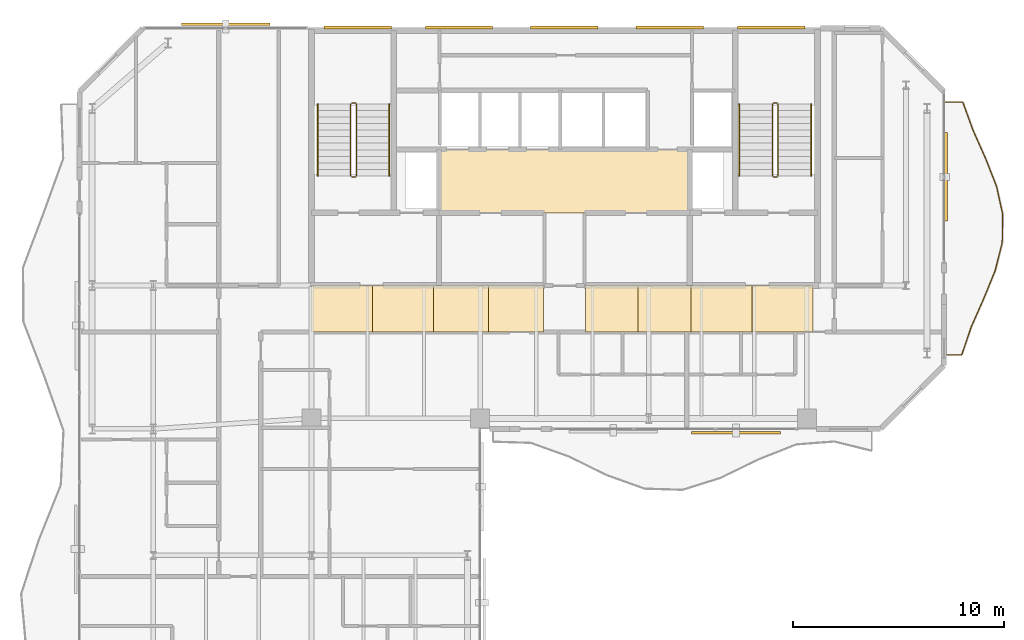
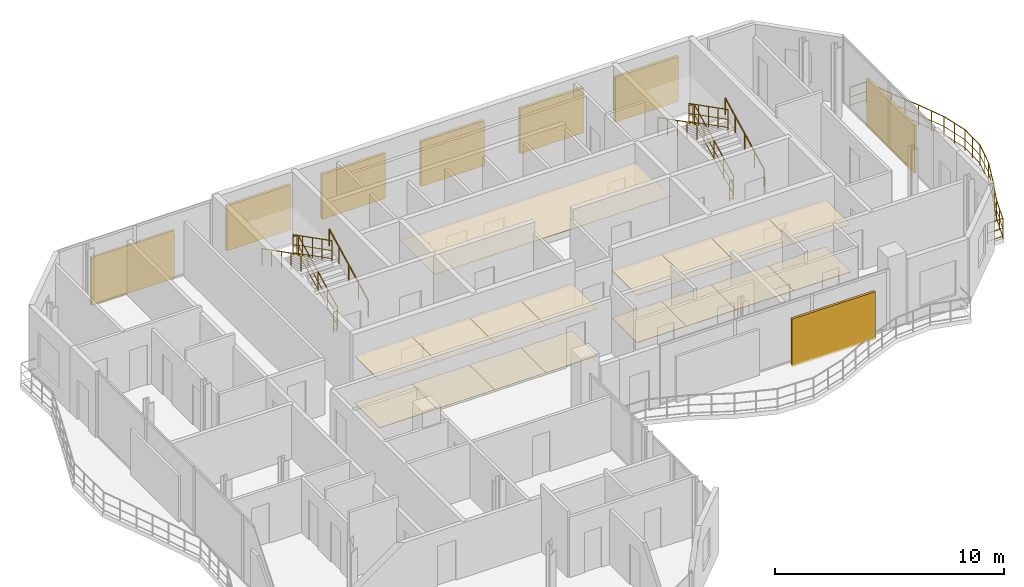
# One storey, part 22 of 22: 17 coverings, 13 railings, 8 shading devices.
"""IFC4 building model written with IfcOpenShell, lengths in metres."""

from ifc_helpers import new_model, si_unit, direction, frame, origin, origin_2d, place, context, subcontext, project, spatial, polyline, rectangle, circle, outline, extrude, material, layer, layer_set, type_object, element, save


model = new_model("IFC4")

# Units and contexts
model_context = context("Model", 3, precision=1e-05, world=origin(), true_north=direction((0.0, 1.0)))
body_context = subcontext(model_context, "Body", "Model", "MODEL_VIEW")
ifc_project = project(units=[si_unit("LENGTHUNIT", "METRE"), si_unit("AREAUNIT", "SQUARE_METRE"), si_unit("VOLUMEUNIT", "CUBIC_METRE"), si_unit("PLANEANGLEUNIT", "RADIAN"), si_unit("MASSUNIT", "GRAM", prefix="KILO")], contexts=[model_context])

# Site, building, storey
site_placement = place(None, origin())
site = spatial("IfcSite", under=ifc_project, at=site_placement, CompositionType="ELEMENT")
building_placement = place(site_placement, origin())
building = spatial("IfcBuilding", under=site, at=building_placement, Name="Catumbela Crestline Tower", CompositionType="ELEMENT")
storey_placement = place(building_placement, frame((0.0, 0.0, 226.0)))
storey = spatial("IfcBuildingStorey", under=building, at=storey_placement, Name="L58", CompositionType="ELEMENT", Elevation=226.0)

# Coverings
ifc_material_1 = material(Name="Mineral-fibre acoustic ceiling")
ifc_layer_1 = layer(ifc_material_1, 0.03, Name="Mineral-fibre acoustic ceiling")
ifc_layer_set_1 = layer_set([ifc_layer_1], Name="Mineral-fibre acoustic ceiling")
covering_type_1 = type_object("IfcCoveringType", Name="CC-AC", PredefinedType="CEILING", material=ifc_layer_set_1)
covering_1_placement = place(storey_placement, frame((0.0, 0.0, 2.65)))
element("IfcCovering", 1, at=covering_1_placement, inside=storey, type_object=covering_type_1, Name="L58 Lift Lobby Acoustic Ceiling", PredefinedType="CEILING", context=body_context, shape_type="SweptSolid", body=[
    extrude(outline(polyline([(22.05, 34.25), (33.95, 34.25), (33.95, 37.25), (22.05, 37.25), (22.05, 34.25)])), origin(), (0.0, 0.0, 1.0), 0.03),
])
covering_2_placement = place(storey_placement, frame((0.0, 0.0, 2.52)))
element("IfcCovering", 2, at=covering_2_placement, inside=storey, type_object=covering_type_1, Name="L58 Corridor Acoustic Ceiling Bay 1", PredefinedType="CEILING", context=body_context, shape_type="SweptSolid", body=[
    extrude(outline(polyline([(16.0, 28.6), (18.9, 28.6), (18.9, 30.8), (16.0, 30.8), (16.0, 28.6)])), origin(), (0.0, 0.0, 1.0), 0.03),
])
covering_3_placement = place(storey_placement, frame((0.0, 0.0, 2.52)))
element("IfcCovering", 3, at=covering_3_placement, inside=storey, type_object=covering_type_1, Name="L58 Corridor Acoustic Ceiling Bay 2", PredefinedType="CEILING", context=body_context, shape_type="SweptSolid", body=[
    extrude(outline(polyline([(18.9, 28.6), (21.8, 28.6), (21.8, 30.8), (18.9, 30.8), (18.9, 28.6)])), origin(), (0.0, 0.0, 1.0), 0.03),
])
covering_4_placement = place(storey_placement, frame((0.0, 0.0, 2.52)))
element("IfcCovering", 4, at=covering_4_placement, inside=storey, type_object=covering_type_1, Name="L58 Corridor Acoustic Ceiling Bay 3", PredefinedType="CEILING", context=body_context, shape_type="SweptSolid", body=[
    extrude(outline(polyline([(21.8, 28.6), (24.4, 28.6), (24.4, 30.8), (21.8, 30.8), (21.8, 28.6)])), origin(), (0.0, 0.0, 1.0), 0.03),
])
covering_5_placement = place(storey_placement, frame((0.0, 0.0, 2.52)))
element("IfcCovering", 5, at=covering_5_placement, inside=storey, type_object=covering_type_1, Name="L58 Corridor Acoustic Ceiling Bay 4", PredefinedType="CEILING", context=body_context, shape_type="SweptSolid", body=[
    extrude(outline(polyline([(24.4, 28.6), (27.0, 28.6), (27.0, 30.8), (24.4, 30.8), (24.4, 28.6)])), origin(), (0.0, 0.0, 1.0), 0.03),
])
covering_6_placement = place(storey_placement, frame((0.0, 0.0, 2.52)))
element("IfcCovering", 6, at=covering_6_placement, inside=storey, type_object=covering_type_1, Name="L58 Corridor Acoustic Ceiling Bay 5", PredefinedType="CEILING", context=body_context, shape_type="SweptSolid", body=[
    extrude(outline(polyline([(29.0, 28.6), (31.5, 28.6), (31.5, 30.8), (29.0, 30.8), (29.0, 28.6)])), origin(), (0.0, 0.0, 1.0), 0.03),
])
covering_7_placement = place(storey_placement, frame((0.0, 0.0, 2.52)))
element("IfcCovering", 7, at=covering_7_placement, inside=storey, type_object=covering_type_1, Name="L58 Corridor Acoustic Ceiling Bay 6", PredefinedType="CEILING", context=body_context, shape_type="SweptSolid", body=[
    extrude(outline(polyline([(31.5, 28.6), (34.0, 28.6), (34.0, 30.8), (31.5, 30.8), (31.5, 28.6)])), origin(), (0.0, 0.0, 1.0), 0.03),
])
covering_8_placement = place(storey_placement, frame((0.0, 0.0, 2.52)))
element("IfcCovering", 8, at=covering_8_placement, inside=storey, type_object=covering_type_1, Name="L58 Corridor Acoustic Ceiling Bay 7", PredefinedType="CEILING", context=body_context, shape_type="SweptSolid", body=[
    extrude(outline(polyline([(34.0, 28.6), (36.9, 28.6), (36.9, 30.8), (34.0, 30.8), (34.0, 28.6)])), origin(), (0.0, 0.0, 1.0), 0.03),
])
covering_9_placement = place(storey_placement, frame((0.0, 0.0, 2.52)))
element("IfcCovering", 9, at=covering_9_placement, inside=storey, type_object=covering_type_1, Name="L58 Corridor Acoustic Ceiling Bay 8", PredefinedType="CEILING", context=body_context, shape_type="SweptSolid", body=[
    extrude(outline(polyline([(36.9, 28.6), (39.8, 28.6), (39.8, 30.8), (36.9, 30.8), (36.9, 28.6)])), origin(), (0.0, 0.0, 1.0), 0.03),
])
ifc_material_2 = material(Name="Angolan grey-ochre granite", Category="masonry")
ifc_layer_2 = layer(ifc_material_2, 0.025, Name="Angolan grey-ochre granite")
ifc_layer_set_2 = layer_set([ifc_layer_2], Name="Angolan grey-ochre granite")
covering_type_2 = type_object("IfcCoveringType", Name="CF-GR", PredefinedType="FLOORING", material=ifc_layer_set_2)
covering_10_placement = place(storey_placement, origin())
element("IfcCovering", 10, at=covering_10_placement, inside=storey, type_object=covering_type_2, Name="L58 Corridor Granite Flooring Bay 1", PredefinedType="FLOORING", context=body_context, shape_type="SweptSolid", body=[
    extrude(outline(polyline([(16.0, 28.6), (18.9, 28.6), (18.9, 30.8), (16.0, 30.8), (16.0, 28.6)])), origin(), (0.0, 0.0, 1.0), 0.025),
])
covering_11_placement = place(storey_placement, origin())
element("IfcCovering", 11, at=covering_11_placement, inside=storey, type_object=covering_type_2, Name="L58 Corridor Granite Flooring Bay 2", PredefinedType="FLOORING", context=body_context, shape_type="SweptSolid", body=[
    extrude(outline(polyline([(18.9, 28.6), (21.8, 28.6), (21.8, 30.8), (18.9, 30.8), (18.9, 28.6)])), origin(), (0.0, 0.0, 1.0), 0.025),
])
covering_12_placement = place(storey_placement, origin())
element("IfcCovering", 12, at=covering_12_placement, inside=storey, type_object=covering_type_2, Name="L58 Corridor Granite Flooring Bay 3", PredefinedType="FLOORING", context=body_context, shape_type="SweptSolid", body=[
    extrude(outline(polyline([(21.8, 28.6), (24.4, 28.6), (24.4, 30.8), (21.8, 30.8), (21.8, 28.6)])), origin(), (0.0, 0.0, 1.0), 0.025),
])
covering_13_placement = place(storey_placement, origin())
element("IfcCovering", 13, at=covering_13_placement, inside=storey, type_object=covering_type_2, Name="L58 Corridor Granite Flooring Bay 4", PredefinedType="FLOORING", context=body_context, shape_type="SweptSolid", body=[
    extrude(outline(polyline([(24.4, 28.6), (27.0, 28.6), (27.0, 30.8), (24.4, 30.8), (24.4, 28.6)])), origin(), (0.0, 0.0, 1.0), 0.025),
])
covering_14_placement = place(storey_placement, origin())
element("IfcCovering", 14, at=covering_14_placement, inside=storey, type_object=covering_type_2, Name="L58 Corridor Granite Flooring Bay 5", PredefinedType="FLOORING", context=body_context, shape_type="SweptSolid", body=[
    extrude(outline(polyline([(29.0, 28.6), (31.5, 28.6), (31.5, 30.8), (29.0, 30.8), (29.0, 28.6)])), origin(), (0.0, 0.0, 1.0), 0.025),
])
covering_15_placement = place(storey_placement, origin())
element("IfcCovering", 15, at=covering_15_placement, inside=storey, type_object=covering_type_2, Name="L58 Corridor Granite Flooring Bay 6", PredefinedType="FLOORING", context=body_context, shape_type="SweptSolid", body=[
    extrude(outline(polyline([(31.5, 28.6), (34.0, 28.6), (34.0, 30.8), (31.5, 30.8), (31.5, 28.6)])), origin(), (0.0, 0.0, 1.0), 0.025),
])
covering_16_placement = place(storey_placement, origin())
element("IfcCovering", 16, at=covering_16_placement, inside=storey, type_object=covering_type_2, Name="L58 Corridor Granite Flooring Bay 7", PredefinedType="FLOORING", context=body_context, shape_type="SweptSolid", body=[
    extrude(outline(polyline([(34.0, 28.6), (36.9, 28.6), (36.9, 30.8), (34.0, 30.8), (34.0, 28.6)])), origin(), (0.0, 0.0, 1.0), 0.025),
])
covering_17_placement = place(storey_placement, origin())
element("IfcCovering", 17, at=covering_17_placement, inside=storey, type_object=covering_type_2, Name="L58 Corridor Granite Flooring Bay 8", PredefinedType="FLOORING", context=body_context, shape_type="SweptSolid", body=[
    extrude(outline(polyline([(36.9, 28.6), (39.8, 28.6), (39.8, 30.8), (36.9, 30.8), (36.9, 28.6)])), origin(), (0.0, 0.0, 1.0), 0.025),
])

# Railings
ifc_material_3 = material(Name="Stainless steel EN 1.4401", Category="steel")
railing_type_1 = type_object("IfcRailingType", Name="RB-1100", PredefinedType="BALUSTRADE", material=ifc_material_3)
railing_1_placement = place(storey_placement, frame((46.06, 27.5, 0.0)))
element("IfcRailing", 18, at=railing_1_placement, inside=storey, type_object=railing_type_1, Name="L58 Private Wave Balcony Balustrade 2", PredefinedType="BALUSTRADE", context=body_context, shape_type="SweptSolid", body=[
    extrude(circle(Radius=0.024, at=origin_2d()), frame((0.0, 0.0, 1.076), z_axis=(1.0, 0.0, 0.0), x_axis=(0.0, 1.0, 0.0)), (0.0, 0.0, 1.0), 0.7801),
    extrude(circle(Radius=0.0156, at=origin_2d()), frame((0.0, 0.0, 0.55), z_axis=(1.0, 0.0, 0.0), x_axis=(0.0, 1.0, 0.0)), (0.0, 0.0, 1.0), 0.7801),
    extrude(circle(Radius=0.0156, at=origin_2d()), frame((0.0, 0.0, 0.12), z_axis=(1.0, 0.0, 0.0), x_axis=(0.0, 1.0, 0.0)), (0.0, 0.0, 1.0), 0.7801),
    extrude(circle(Radius=0.024, at=origin_2d()), frame((0.7801, 0.0, 1.076), z_axis=(0.321825075032, 0.946799145057, 0.0), x_axis=(-0.946799145057, 0.321825075032, 0.0)), (0.0, 0.0, 1.0), 1.4082),
    extrude(circle(Radius=0.0156, at=origin_2d()), frame((0.7801, 0.0, 0.55), z_axis=(0.321825075032, 0.946799145057, 0.0), x_axis=(-0.946799145057, 0.321825075032, 0.0)), (0.0, 0.0, 1.0), 1.4082),
    extrude(circle(Radius=0.0156, at=origin_2d()), frame((0.7801, 0.0, 0.12), z_axis=(0.321825075032, 0.946799145057, 0.0), x_axis=(-0.946799145057, 0.321825075032, 0.0)), (0.0, 0.0, 1.0), 1.4082),
    extrude(circle(Radius=0.024, at=origin_2d()), frame((1.2333, 1.3333, 1.076), z_axis=(0.404004999136, 0.914756776784, 0.0), x_axis=(-0.914756776784, 0.404004999136, 0.0)), (0.0, 0.0, 1.0), 1.4577),
    extrude(circle(Radius=0.0156, at=origin_2d()), frame((1.2333, 1.3333, 0.55), z_axis=(0.404004999136, 0.914756776784, 0.0), x_axis=(-0.914756776784, 0.404004999136, 0.0)), (0.0, 0.0, 1.0), 1.4577),
    extrude(circle(Radius=0.0156, at=origin_2d()), frame((1.2333, 1.3333, 0.12), z_axis=(0.404004999136, 0.914756776784, 0.0), x_axis=(-0.914756776784, 0.404004999136, 0.0)), (0.0, 0.0, 1.0), 1.4577),
    extrude(circle(Radius=0.024, at=origin_2d()), frame((1.8222, 2.6667, 1.076), z_axis=(0.378786900544, 0.92548391881, 0.0), x_axis=(-0.92548391881, 0.378786900544, 0.0)), (0.0, 0.0, 1.0), 1.4407),
    extrude(circle(Radius=0.0156, at=origin_2d()), frame((1.8222, 2.6667, 0.55), z_axis=(0.378786900544, 0.92548391881, 0.0), x_axis=(-0.92548391881, 0.378786900544, 0.0)), (0.0, 0.0, 1.0), 1.4407),
    extrude(circle(Radius=0.0156, at=origin_2d()), frame((1.8222, 2.6667, 0.12), z_axis=(0.378786900544, 0.92548391881, 0.0), x_axis=(-0.92548391881, 0.378786900544, 0.0)), (0.0, 0.0, 1.0), 1.4407),
    extrude(circle(Radius=0.024, at=origin_2d()), frame((2.3679, 4.0, 1.076), z_axis=(0.244844834843, 0.969562275901, 0.0), x_axis=(-0.969562275901, 0.244844834843, 0.0)), (0.0, 0.0, 1.0), 1.3752),
    extrude(circle(Radius=0.0156, at=origin_2d()), frame((2.3679, 4.0, 0.55), z_axis=(0.244844834843, 0.969562275901, 0.0), x_axis=(-0.969562275901, 0.244844834843, 0.0)), (0.0, 0.0, 1.0), 1.3752),
    extrude(circle(Radius=0.0156, at=origin_2d()), frame((2.3679, 4.0, 0.12), z_axis=(0.244844834843, 0.969562275901, 0.0), x_axis=(-0.969562275901, 0.244844834843, 0.0)), (0.0, 0.0, 1.0), 1.3752),
    extrude(circle(Radius=0.024, at=origin_2d()), frame((2.7046, 5.3333, 1.076), z_axis=(0.018970636751, 0.999820041278, 0.0), x_axis=(-0.999820041278, 0.018970636751, 0.0)), (0.0, 0.0, 1.0), 1.3336),
    extrude(circle(Radius=0.0156, at=origin_2d()), frame((2.7046, 5.3333, 0.55), z_axis=(0.018970636751, 0.999820041278, 0.0), x_axis=(-0.999820041278, 0.018970636751, 0.0)), (0.0, 0.0, 1.0), 1.3336),
    extrude(circle(Radius=0.0156, at=origin_2d()), frame((2.7046, 5.3333, 0.12), z_axis=(0.018970636751, 0.999820041278, 0.0), x_axis=(-0.999820041278, 0.018970636751, 0.0)), (0.0, 0.0, 1.0), 1.3336),
    extrude(circle(Radius=0.024, at=origin_2d()), frame((2.7299, 6.6667, 1.076), z_axis=(-0.21519292243, 0.9765715571, 0.0), x_axis=(-0.9765715571, -0.21519292243, 0.0)), (0.0, 0.0, 1.0), 1.3653),
    extrude(circle(Radius=0.0156, at=origin_2d()), frame((2.7299, 6.6667, 0.55), z_axis=(-0.21519292243, 0.9765715571, 0.0), x_axis=(-0.9765715571, -0.21519292243, 0.0)), (0.0, 0.0, 1.0), 1.3653),
    extrude(circle(Radius=0.0156, at=origin_2d()), frame((2.7299, 6.6667, 0.12), z_axis=(-0.21519292243, 0.9765715571, 0.0), x_axis=(-0.9765715571, -0.21519292243, 0.0)), (0.0, 0.0, 1.0), 1.3653),
    extrude(circle(Radius=0.024, at=origin_2d()), frame((2.4361, 8.0, 1.076), z_axis=(-0.365533574003, 0.930798155497, 0.0), x_axis=(-0.930798155497, -0.365533574003, 0.0)), (0.0, 0.0, 1.0), 1.4324),
    extrude(circle(Radius=0.0156, at=origin_2d()), frame((2.4361, 8.0, 0.55), z_axis=(-0.365533574003, 0.930798155497, 0.0), x_axis=(-0.930798155497, -0.365533574003, 0.0)), (0.0, 0.0, 1.0), 1.4324),
    extrude(circle(Radius=0.0156, at=origin_2d()), frame((2.4361, 8.0, 0.12), z_axis=(-0.365533574003, 0.930798155497, 0.0), x_axis=(-0.930798155497, -0.365533574003, 0.0)), (0.0, 0.0, 1.0), 1.4324),
    extrude(circle(Radius=0.024, at=origin_2d()), frame((1.9125, 9.3333, 1.076), z_axis=(-0.407040803726, 0.913409975915, 0.0), x_axis=(-0.913409975915, -0.407040803726, 0.0)), (0.0, 0.0, 1.0), 1.4598),
    extrude(circle(Radius=0.0156, at=origin_2d()), frame((1.9125, 9.3333, 0.55), z_axis=(-0.407040803726, 0.913409975915, 0.0), x_axis=(-0.913409975915, -0.407040803726, 0.0)), (0.0, 0.0, 1.0), 1.4598),
    extrude(circle(Radius=0.0156, at=origin_2d()), frame((1.9125, 9.3333, 0.12), z_axis=(-0.407040803726, 0.913409975915, 0.0), x_axis=(-0.913409975915, -0.407040803726, 0.0)), (0.0, 0.0, 1.0), 1.4598),
    extrude(circle(Radius=0.024, at=origin_2d()), frame((1.3183, 10.6667, 1.076), z_axis=(-0.34140908898, 0.939914801438, 0.0), x_axis=(-0.939914801438, -0.34140908898, 0.0)), (0.0, 0.0, 1.0), 1.4185),
    extrude(circle(Radius=0.0156, at=origin_2d()), frame((1.3183, 10.6667, 0.55), z_axis=(-0.34140908898, 0.939914801438, 0.0), x_axis=(-0.939914801438, -0.34140908898, 0.0)), (0.0, 0.0, 1.0), 1.4185),
    extrude(circle(Radius=0.0156, at=origin_2d()), frame((1.3183, 10.6667, 0.12), z_axis=(-0.34140908898, 0.939914801438, 0.0), x_axis=(-0.939914801438, -0.34140908898, 0.0)), (0.0, 0.0, 1.0), 1.4185),
    extrude(circle(Radius=0.024, at=origin_2d()), frame((0.834, 12.0, 1.076), z_axis=(-1.0, 0.0, 0.0), x_axis=(0.0, -1.0, 0.0)), (0.0, 0.0, 1.0), 0.834),
    extrude(circle(Radius=0.0156, at=origin_2d()), frame((0.834, 12.0, 0.55), z_axis=(-1.0, 0.0, 0.0), x_axis=(0.0, -1.0, 0.0)), (0.0, 0.0, 1.0), 0.834),
    extrude(circle(Radius=0.0156, at=origin_2d()), frame((0.834, 12.0, 0.12), z_axis=(-1.0, 0.0, 0.0), x_axis=(0.0, -1.0, 0.0)), (0.0, 0.0, 1.0), 0.834),
    extrude(circle(Radius=0.021, at=origin_2d()), origin(), (0.0, 0.0, 1.0), 1.052),
    extrude(circle(Radius=0.021, at=origin_2d()), frame((0.7801, 0.0, 0.0)), (0.0, 0.0, 1.0), 1.052),
    extrude(circle(Radius=0.021, at=origin_2d()), frame((1.0067, 0.6667, 0.0)), (0.0, 0.0, 1.0), 1.052),
    extrude(circle(Radius=0.021, at=origin_2d()), frame((1.2333, 1.3333, 0.0)), (0.0, 0.0, 1.0), 1.052),
    extrude(circle(Radius=0.021, at=origin_2d()), frame((1.5277, 2.0, 0.0)), (0.0, 0.0, 1.0), 1.052),
    extrude(circle(Radius=0.021, at=origin_2d()), frame((1.8222, 2.6667, 0.0)), (0.0, 0.0, 1.0), 1.052),
    extrude(circle(Radius=0.021, at=origin_2d()), frame((2.095, 3.3333, 0.0)), (0.0, 0.0, 1.0), 1.052),
    extrude(circle(Radius=0.021, at=origin_2d()), frame((2.3679, 4.0, 0.0)), (0.0, 0.0, 1.0), 1.052),
    extrude(circle(Radius=0.021, at=origin_2d()), frame((2.5362, 4.6667, 0.0)), (0.0, 0.0, 1.0), 1.052),
    extrude(circle(Radius=0.021, at=origin_2d()), frame((2.7046, 5.3333, 0.0)), (0.0, 0.0, 1.0), 1.052),
    extrude(circle(Radius=0.021, at=origin_2d()), frame((2.7172, 6.0, 0.0)), (0.0, 0.0, 1.0), 1.052),
    extrude(circle(Radius=0.021, at=origin_2d()), frame((2.7299, 6.6667, 0.0)), (0.0, 0.0, 1.0), 1.052),
    extrude(circle(Radius=0.021, at=origin_2d()), frame((2.583, 7.3334, 0.0)), (0.0, 0.0, 1.0), 1.052),
    extrude(circle(Radius=0.021, at=origin_2d()), frame((2.4361, 8.0, 0.0)), (0.0, 0.0, 1.0), 1.052),
    extrude(circle(Radius=0.021, at=origin_2d()), frame((2.1743, 8.6666, 0.0)), (0.0, 0.0, 1.0), 1.052),
    extrude(circle(Radius=0.021, at=origin_2d()), frame((1.9125, 9.3333, 0.0)), (0.0, 0.0, 1.0), 1.052),
    extrude(circle(Radius=0.021, at=origin_2d()), frame((1.6154, 10.0, 0.0)), (0.0, 0.0, 1.0), 1.052),
    extrude(circle(Radius=0.021, at=origin_2d()), frame((1.3183, 10.6667, 0.0)), (0.0, 0.0, 1.0), 1.052),
    extrude(circle(Radius=0.021, at=origin_2d()), frame((1.0761, 11.3334, 0.0)), (0.0, 0.0, 1.0), 1.052),
    extrude(circle(Radius=0.021, at=origin_2d()), frame((0.834, 12.0, 0.0)), (0.0, 0.0, 1.0), 1.052),
    extrude(circle(Radius=0.021, at=origin_2d()), frame((0.0, 12.0, 0.0)), (0.0, 0.0, 1.0), 1.052),
])
railing_type_2 = type_object("IfcRailingType", Name="RG-1100", PredefinedType="GUARDRAIL", material=ifc_material_3)
railing_2_placement = place(storey_placement, frame((18.14, 36.0, 0.1583)))
element("IfcRailing", 19, at=railing_2_placement, inside=storey, type_object=railing_type_2, Name="L58 ST-01 stair guard 1", PredefinedType="GUARDRAIL", context=body_context, shape_type="SweptSolid", body=[
    extrude(circle(Radius=0.024, at=origin_2d()), frame((0.0, 0.0, 1.076), z_axis=(0.0, 0.890560473983, 0.454864861447), x_axis=(-1.0, 0.0, 0.0)), (0.0, 0.0, 1.0), 3.829),
    extrude(circle(Radius=0.0156, at=origin_2d()), frame((0.0, 0.0, 0.55), z_axis=(0.0, 0.890560473983, 0.454864861447), x_axis=(-1.0, 0.0, 0.0)), (0.0, 0.0, 1.0), 3.829),
    extrude(circle(Radius=0.0156, at=origin_2d()), frame((0.0, 0.0, 0.12), z_axis=(0.0, 0.890560473983, 0.454864861447), x_axis=(-1.0, 0.0, 0.0)), (0.0, 0.0, 1.0), 3.829),
    extrude(circle(Radius=0.021, at=origin_2d()), origin(), (0.0, 0.0, 1.0), 1.052),
    extrude(circle(Radius=0.021, at=origin_2d()), frame((0.0, 0.8525, 0.4354)), (0.0, 0.0, 1.0), 1.052),
    extrude(circle(Radius=0.021, at=origin_2d()), frame((0.0, 1.705, 0.8709)), (0.0, 0.0, 1.0), 1.052),
    extrude(circle(Radius=0.021, at=origin_2d()), frame((0.0, 2.5575, 1.3063)), (0.0, 0.0, 1.0), 1.052),
    extrude(circle(Radius=0.021, at=origin_2d()), frame((0.0, 3.41, 1.7417)), (0.0, 0.0, 1.0), 1.052),
])
railing_3_placement = place(storey_placement, frame((18.09, 39.46, 1.9)))
element("IfcRailing", 20, at=railing_3_placement, inside=storey, type_object=railing_type_2, Name="L58 ST-01 stair guard 2", PredefinedType="GUARDRAIL", context=body_context, shape_type="SweptSolid", body=[
    extrude(circle(Radius=0.024, at=origin_2d()), frame((0.0, 0.0, 1.076), z_axis=(-1.0, 0.0, 0.0), x_axis=(0.0, -1.0, 0.0)), (0.0, 0.0, 1.0), 0.18),
    extrude(circle(Radius=0.0156, at=origin_2d()), frame((0.0, 0.0, 0.55), z_axis=(-1.0, 0.0, 0.0), x_axis=(0.0, -1.0, 0.0)), (0.0, 0.0, 1.0), 0.18),
    extrude(circle(Radius=0.0156, at=origin_2d()), frame((0.0, 0.0, 0.12), z_axis=(-1.0, 0.0, 0.0), x_axis=(0.0, -1.0, 0.0)), (0.0, 0.0, 1.0), 0.18),
    extrude(circle(Radius=0.021, at=origin_2d()), origin(), (0.0, 0.0, 1.0), 1.052),
    extrude(circle(Radius=0.021, at=origin_2d()), frame((-0.18, 0.0, 0.0)), (0.0, 0.0, 1.0), 1.052),
])
railing_4_placement = place(storey_placement, frame((17.86, 39.41, 2.0583)))
element("IfcRailing", 21, at=railing_4_placement, inside=storey, type_object=railing_type_2, Name="L58 ST-01 stair guard 3", PredefinedType="GUARDRAIL", context=body_context, shape_type="SweptSolid", body=[
    extrude(circle(Radius=0.024, at=origin_2d()), frame((0.0, 0.0, 1.076), z_axis=(0.0, -0.890560473983, 0.454864861447), x_axis=(1.0, 0.0, 0.0)), (0.0, 0.0, 1.0), 3.829),
    extrude(circle(Radius=0.0156, at=origin_2d()), frame((0.0, 0.0, 0.55), z_axis=(0.0, -0.890560473983, 0.454864861447), x_axis=(1.0, 0.0, 0.0)), (0.0, 0.0, 1.0), 3.829),
    extrude(circle(Radius=0.0156, at=origin_2d()), frame((0.0, 0.0, 0.12), z_axis=(0.0, -0.890560473983, 0.454864861447), x_axis=(1.0, 0.0, 0.0)), (0.0, 0.0, 1.0), 3.829),
    extrude(circle(Radius=0.021, at=origin_2d()), origin(), (0.0, 0.0, 1.0), 1.052),
    extrude(circle(Radius=0.021, at=origin_2d()), frame((0.0, -0.8525, 0.4354)), (0.0, 0.0, 1.0), 1.052),
    extrude(circle(Radius=0.021, at=origin_2d()), frame((0.0, -1.705, 0.8709)), (0.0, 0.0, 1.0), 1.052),
    extrude(circle(Radius=0.021, at=origin_2d()), frame((0.0, -2.5575, 1.3063)), (0.0, 0.0, 1.0), 1.052),
    extrude(circle(Radius=0.021, at=origin_2d()), frame((0.0, -3.41, 1.7417)), (0.0, 0.0, 1.0), 1.052),
])
railing_5_placement = place(storey_placement, frame((18.09, 35.95, 0.0)))
element("IfcRailing", 22, at=railing_5_placement, inside=storey, type_object=railing_type_2, Name="L58 ST-01 stair guard 4", PredefinedType="GUARDRAIL", context=body_context, shape_type="SweptSolid", body=[
    extrude(circle(Radius=0.024, at=origin_2d()), frame((0.0, 0.0, 1.076), z_axis=(-1.0, 0.0, 0.0), x_axis=(0.0, -1.0, 0.0)), (0.0, 0.0, 1.0), 0.18),
    extrude(circle(Radius=0.0156, at=origin_2d()), frame((0.0, 0.0, 0.55), z_axis=(-1.0, 0.0, 0.0), x_axis=(0.0, -1.0, 0.0)), (0.0, 0.0, 1.0), 0.18),
    extrude(circle(Radius=0.0156, at=origin_2d()), frame((0.0, 0.0, 0.12), z_axis=(-1.0, 0.0, 0.0), x_axis=(0.0, -1.0, 0.0)), (0.0, 0.0, 1.0), 0.18),
    extrude(circle(Radius=0.021, at=origin_2d()), origin(), (0.0, 0.0, 1.0), 1.052),
    extrude(circle(Radius=0.021, at=origin_2d()), frame((-0.18, 0.0, 0.0)), (0.0, 0.0, 1.0), 1.052),
])
railing_6_placement = place(storey_placement, frame((38.14, 36.0, 0.1583)))
element("IfcRailing", 23, at=railing_6_placement, inside=storey, type_object=railing_type_2, Name="L58 ST-02 stair guard 1", PredefinedType="GUARDRAIL", context=body_context, shape_type="SweptSolid", body=[
    extrude(circle(Radius=0.024, at=origin_2d()), frame((0.0, 0.0, 1.076), z_axis=(0.0, 0.890560473983, 0.454864861447), x_axis=(-1.0, 0.0, 0.0)), (0.0, 0.0, 1.0), 3.829),
    extrude(circle(Radius=0.0156, at=origin_2d()), frame((0.0, 0.0, 0.55), z_axis=(0.0, 0.890560473983, 0.454864861447), x_axis=(-1.0, 0.0, 0.0)), (0.0, 0.0, 1.0), 3.829),
    extrude(circle(Radius=0.0156, at=origin_2d()), frame((0.0, 0.0, 0.12), z_axis=(0.0, 0.890560473983, 0.454864861447), x_axis=(-1.0, 0.0, 0.0)), (0.0, 0.0, 1.0), 3.829),
    extrude(circle(Radius=0.021, at=origin_2d()), origin(), (0.0, 0.0, 1.0), 1.052),
    extrude(circle(Radius=0.021, at=origin_2d()), frame((0.0, 0.8525, 0.4354)), (0.0, 0.0, 1.0), 1.052),
    extrude(circle(Radius=0.021, at=origin_2d()), frame((0.0, 1.705, 0.8709)), (0.0, 0.0, 1.0), 1.052),
    extrude(circle(Radius=0.021, at=origin_2d()), frame((0.0, 2.5575, 1.3063)), (0.0, 0.0, 1.0), 1.052),
    extrude(circle(Radius=0.021, at=origin_2d()), frame((0.0, 3.41, 1.7417)), (0.0, 0.0, 1.0), 1.052),
])
railing_7_placement = place(storey_placement, frame((38.09, 39.46, 1.9)))
element("IfcRailing", 24, at=railing_7_placement, inside=storey, type_object=railing_type_2, Name="L58 ST-02 stair guard 2", PredefinedType="GUARDRAIL", context=body_context, shape_type="SweptSolid", body=[
    extrude(circle(Radius=0.024, at=origin_2d()), frame((0.0, 0.0, 1.076), z_axis=(-1.0, 0.0, 0.0), x_axis=(0.0, -1.0, 0.0)), (0.0, 0.0, 1.0), 0.18),
    extrude(circle(Radius=0.0156, at=origin_2d()), frame((0.0, 0.0, 0.55), z_axis=(-1.0, 0.0, 0.0), x_axis=(0.0, -1.0, 0.0)), (0.0, 0.0, 1.0), 0.18),
    extrude(circle(Radius=0.0156, at=origin_2d()), frame((0.0, 0.0, 0.12), z_axis=(-1.0, 0.0, 0.0), x_axis=(0.0, -1.0, 0.0)), (0.0, 0.0, 1.0), 0.18),
    extrude(circle(Radius=0.021, at=origin_2d()), origin(), (0.0, 0.0, 1.0), 1.052),
    extrude(circle(Radius=0.021, at=origin_2d()), frame((-0.18, 0.0, 0.0)), (0.0, 0.0, 1.0), 1.052),
])
railing_8_placement = place(storey_placement, frame((37.86, 39.41, 2.0583)))
element("IfcRailing", 25, at=railing_8_placement, inside=storey, type_object=railing_type_2, Name="L58 ST-02 stair guard 3", PredefinedType="GUARDRAIL", context=body_context, shape_type="SweptSolid", body=[
    extrude(circle(Radius=0.024, at=origin_2d()), frame((0.0, 0.0, 1.076), z_axis=(0.0, -0.890560473983, 0.454864861447), x_axis=(1.0, 0.0, 0.0)), (0.0, 0.0, 1.0), 3.829),
    extrude(circle(Radius=0.0156, at=origin_2d()), frame((0.0, 0.0, 0.55), z_axis=(0.0, -0.890560473983, 0.454864861447), x_axis=(1.0, 0.0, 0.0)), (0.0, 0.0, 1.0), 3.829),
    extrude(circle(Radius=0.0156, at=origin_2d()), frame((0.0, 0.0, 0.12), z_axis=(0.0, -0.890560473983, 0.454864861447), x_axis=(1.0, 0.0, 0.0)), (0.0, 0.0, 1.0), 3.829),
    extrude(circle(Radius=0.021, at=origin_2d()), origin(), (0.0, 0.0, 1.0), 1.052),
    extrude(circle(Radius=0.021, at=origin_2d()), frame((0.0, -0.8525, 0.4354)), (0.0, 0.0, 1.0), 1.052),
    extrude(circle(Radius=0.021, at=origin_2d()), frame((0.0, -1.705, 0.8709)), (0.0, 0.0, 1.0), 1.052),
    extrude(circle(Radius=0.021, at=origin_2d()), frame((0.0, -2.5575, 1.3063)), (0.0, 0.0, 1.0), 1.052),
    extrude(circle(Radius=0.021, at=origin_2d()), frame((0.0, -3.41, 1.7417)), (0.0, 0.0, 1.0), 1.052),
])
railing_9_placement = place(storey_placement, frame((38.09, 35.95, 0.0)))
element("IfcRailing", 26, at=railing_9_placement, inside=storey, type_object=railing_type_2, Name="L58 ST-02 stair guard 4", PredefinedType="GUARDRAIL", context=body_context, shape_type="SweptSolid", body=[
    extrude(circle(Radius=0.024, at=origin_2d()), frame((0.0, 0.0, 1.076), z_axis=(-1.0, 0.0, 0.0), x_axis=(0.0, -1.0, 0.0)), (0.0, 0.0, 1.0), 0.18),
    extrude(circle(Radius=0.0156, at=origin_2d()), frame((0.0, 0.0, 0.55), z_axis=(-1.0, 0.0, 0.0), x_axis=(0.0, -1.0, 0.0)), (0.0, 0.0, 1.0), 0.18),
    extrude(circle(Radius=0.0156, at=origin_2d()), frame((0.0, 0.0, 0.12), z_axis=(-1.0, 0.0, 0.0), x_axis=(0.0, -1.0, 0.0)), (0.0, 0.0, 1.0), 0.18),
    extrude(circle(Radius=0.021, at=origin_2d()), origin(), (0.0, 0.0, 1.0), 1.052),
    extrude(circle(Radius=0.021, at=origin_2d()), frame((-0.18, 0.0, 0.0)), (0.0, 0.0, 1.0), 1.052),
])
railing_type_3 = type_object("IfcRailingType", Name="RH-0900", PredefinedType="HANDRAIL", material=ifc_material_3)
railing_10_placement = place(storey_placement, frame((19.7, 36.0, 0.1583)))
element("IfcRailing", 27, at=railing_10_placement, inside=storey, type_object=railing_type_3, Name="L58 ST-01 stair handrail 1", PredefinedType="HANDRAIL", context=body_context, shape_type="SweptSolid", body=[
    extrude(circle(Radius=0.024, at=origin_2d()), frame((0.0, 0.0, 0.876), z_axis=(0.0, 0.890560473983, 0.454864861447), x_axis=(-1.0, 0.0, 0.0)), (0.0, 0.0, 1.0), 3.829),
    extrude(circle(Radius=0.021, at=origin_2d()), origin(), (0.0, 0.0, 1.0), 0.852),
    extrude(circle(Radius=0.021, at=origin_2d()), frame((0.0, 0.8525, 0.4354)), (0.0, 0.0, 1.0), 0.852),
    extrude(circle(Radius=0.021, at=origin_2d()), frame((0.0, 1.705, 0.8709)), (0.0, 0.0, 1.0), 0.852),
    extrude(circle(Radius=0.021, at=origin_2d()), frame((0.0, 2.5575, 1.3063)), (0.0, 0.0, 1.0), 0.852),
    extrude(circle(Radius=0.021, at=origin_2d()), frame((0.0, 3.41, 1.7417)), (0.0, 0.0, 1.0), 0.852),
])
railing_11_placement = place(storey_placement, frame((16.3, 39.41, 2.0583)))
element("IfcRailing", 28, at=railing_11_placement, inside=storey, type_object=railing_type_3, Name="L58 ST-01 stair handrail 2", PredefinedType="HANDRAIL", context=body_context, shape_type="SweptSolid", body=[
    extrude(circle(Radius=0.024, at=origin_2d()), frame((0.0, 0.0, 0.876), z_axis=(0.0, -0.890560473983, 0.454864861447), x_axis=(1.0, 0.0, 0.0)), (0.0, 0.0, 1.0), 3.829),
    extrude(circle(Radius=0.021, at=origin_2d()), origin(), (0.0, 0.0, 1.0), 0.852),
    extrude(circle(Radius=0.021, at=origin_2d()), frame((0.0, -0.8525, 0.4354)), (0.0, 0.0, 1.0), 0.852),
    extrude(circle(Radius=0.021, at=origin_2d()), frame((0.0, -1.705, 0.8709)), (0.0, 0.0, 1.0), 0.852),
    extrude(circle(Radius=0.021, at=origin_2d()), frame((0.0, -2.5575, 1.3063)), (0.0, 0.0, 1.0), 0.852),
    extrude(circle(Radius=0.021, at=origin_2d()), frame((0.0, -3.41, 1.7417)), (0.0, 0.0, 1.0), 0.852),
])
railing_12_placement = place(storey_placement, frame((39.7, 36.0, 0.1583)))
element("IfcRailing", 29, at=railing_12_placement, inside=storey, type_object=railing_type_3, Name="L58 ST-02 stair handrail 1", PredefinedType="HANDRAIL", context=body_context, shape_type="SweptSolid", body=[
    extrude(circle(Radius=0.024, at=origin_2d()), frame((0.0, 0.0, 0.876), z_axis=(0.0, 0.890560473983, 0.454864861447), x_axis=(-1.0, 0.0, 0.0)), (0.0, 0.0, 1.0), 3.829),
    extrude(circle(Radius=0.021, at=origin_2d()), origin(), (0.0, 0.0, 1.0), 0.852),
    extrude(circle(Radius=0.021, at=origin_2d()), frame((0.0, 0.8525, 0.4354)), (0.0, 0.0, 1.0), 0.852),
    extrude(circle(Radius=0.021, at=origin_2d()), frame((0.0, 1.705, 0.8709)), (0.0, 0.0, 1.0), 0.852),
    extrude(circle(Radius=0.021, at=origin_2d()), frame((0.0, 2.5575, 1.3063)), (0.0, 0.0, 1.0), 0.852),
    extrude(circle(Radius=0.021, at=origin_2d()), frame((0.0, 3.41, 1.7417)), (0.0, 0.0, 1.0), 0.852),
])
railing_13_placement = place(storey_placement, frame((36.3, 39.41, 2.0583)))
element("IfcRailing", 30, at=railing_13_placement, inside=storey, type_object=railing_type_3, Name="L58 ST-02 stair handrail 2", PredefinedType="HANDRAIL", context=body_context, shape_type="SweptSolid", body=[
    extrude(circle(Radius=0.024, at=origin_2d()), frame((0.0, 0.0, 0.876), z_axis=(0.0, -0.890560473983, 0.454864861447), x_axis=(1.0, 0.0, 0.0)), (0.0, 0.0, 1.0), 3.829),
    extrude(circle(Radius=0.021, at=origin_2d()), origin(), (0.0, 0.0, 1.0), 0.852),
    extrude(circle(Radius=0.021, at=origin_2d()), frame((0.0, -0.8525, 0.4354)), (0.0, 0.0, 1.0), 0.852),
    extrude(circle(Radius=0.021, at=origin_2d()), frame((0.0, -1.705, 0.8709)), (0.0, 0.0, 1.0), 0.852),
    extrude(circle(Radius=0.021, at=origin_2d()), frame((0.0, -2.5575, 1.3063)), (0.0, 0.0, 1.0), 0.852),
    extrude(circle(Radius=0.021, at=origin_2d()), frame((0.0, -3.41, 1.7417)), (0.0, 0.0, 1.0), 0.852),
])

# Shading devices
ifc_material_4 = material(Name="Extruded terracotta ceramic", Category="masonry")
shading_device_type_1 = type_object("IfcShadingDeviceType", Name="ST-180", PredefinedType="USERDEFINED", material=ifc_material_4)
for number, where, z_axis, x_axis, name in (
    (31, (18.2, 43.04, 0.55), (0.0, 0.0, 1.0), (1.0, 0.0, 0.0), "L58 Rear Core Terracotta Brise-Soleil Screen 684"),
    (32, (33.0, 43.04, 0.55), (0.0, 0.0, 1.0), (1.0, 0.0, 0.0), "L58 Rear Core Terracotta Brise-Soleil Screen 687"),
):
    element("IfcShadingDevice", number, at=place(storey_placement, frame(where, z_axis=z_axis, x_axis=x_axis)), inside=storey, type_object=shading_device_type_1, Name=name, ObjectType="SCREEN", PredefinedType="USERDEFINED", context=body_context, shape_type="SweptSolid", body=[
        extrude(rectangle(XDim=3.2, YDim=0.14, at=origin_2d()), origin(), (0.0, 0.0, 1.0), 2.4),
    ])
shading_device_1_placement = place(storey_placement, frame((46.099, 35.95, -0.1), z_axis=(0.0, 0.0, 1.0), x_axis=(0.0, 1.0, 0.0)))
element("IfcShadingDevice", 33, at=shading_device_1_placement, inside=storey, type_object=shading_device_type_1, Name="L58 Perforated Terracotta Solar Screen 694 (180 mm)", ObjectType="SCREEN", PredefinedType="USERDEFINED", context=body_context, shape_type="SweptSolid", body=[
    extrude(rectangle(XDim=4.2, YDim=0.12, at=origin_2d()), origin(), (0.0, 0.0, 1.0), 2.55),
])
shading_device_type_2 = type_object("IfcShadingDeviceType", Name="ST-260", PredefinedType="USERDEFINED", material=ifc_material_4)
for number, where, z_axis, x_axis, name in (
    (34, (28.0, 43.04, 0.55), (0.0, 0.0, 1.0), (1.0, 0.0, 0.0), "L58 Rear Core Terracotta Brise-Soleil Screen 686"),
    (35, (37.8, 43.04, 0.55), (0.0, 0.0, 1.0), (1.0, 0.0, 0.0), "L58 Rear Core Terracotta Brise-Soleil Screen 688"),
):
    element("IfcShadingDevice", number, at=place(storey_placement, frame(where, z_axis=z_axis, x_axis=x_axis)), inside=storey, type_object=shading_device_type_2, Name=name, ObjectType="SCREEN", PredefinedType="USERDEFINED", context=body_context, shape_type="SweptSolid", body=[
        extrude(rectangle(XDim=3.2, YDim=0.14, at=origin_2d()), origin(), (0.0, 0.0, 1.0), 2.4),
    ])
shading_device_type_3 = type_object("IfcShadingDeviceType", Name="ST-340", PredefinedType="USERDEFINED", material=ifc_material_4)
shading_device_2_placement = place(storey_placement, frame((23.0, 43.04, 0.55), z_axis=(0.0, 0.0, 1.0), x_axis=(1.0, 0.0, 0.0)))
element("IfcShadingDevice", 36, at=shading_device_2_placement, inside=storey, type_object=shading_device_type_3, Name="L58 Rear Core Terracotta Brise-Soleil Screen 685", ObjectType="SCREEN", PredefinedType="USERDEFINED", context=body_context, shape_type="SweptSolid", body=[
    extrude(rectangle(XDim=3.2, YDim=0.14, at=origin_2d()), origin(), (0.0, 0.0, 1.0), 2.4),
])
for number, where, z_axis, x_axis, name in (
    (37, (36.1375, 23.813, -0.1), (0.0, 0.0, 1.0), (1.0, 0.0, 0.0), "L58 Perforated Terracotta Solar Screen 693 (340 mm)"),
    (38, (11.93, 43.187, -0.1), (0.0, 0.0, 1.0), (-1.0, 0.0, 0.0), "L58 Perforated Terracotta Solar Screen 695 (340 mm)"),
):
    element("IfcShadingDevice", number, at=place(storey_placement, frame(where, z_axis=z_axis, x_axis=x_axis)), inside=storey, type_object=shading_device_type_3, Name=name, ObjectType="SCREEN", PredefinedType="USERDEFINED", context=body_context, shape_type="SweptSolid", body=[
        extrude(rectangle(XDim=4.2, YDim=0.12, at=origin_2d()), origin(), (0.0, 0.0, 1.0), 2.55),
    ])

save(model, "model.ifc")
